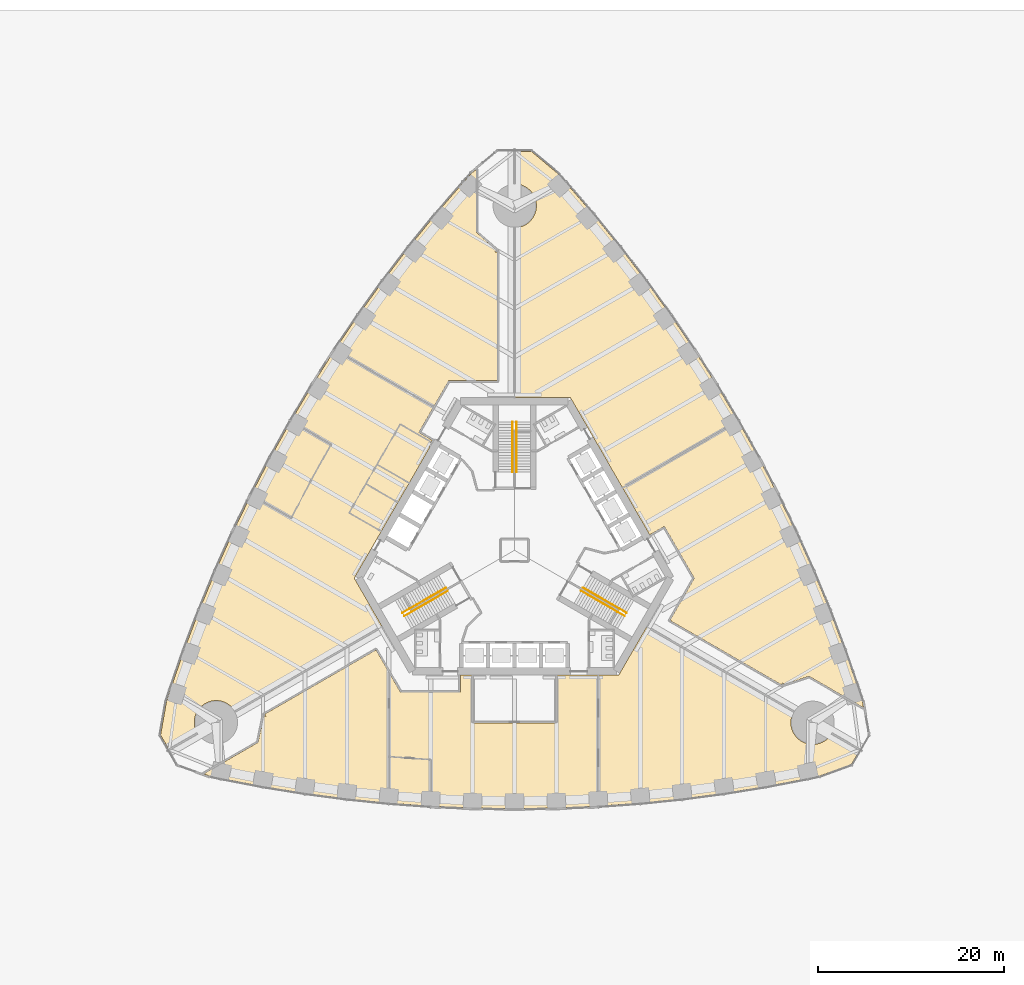
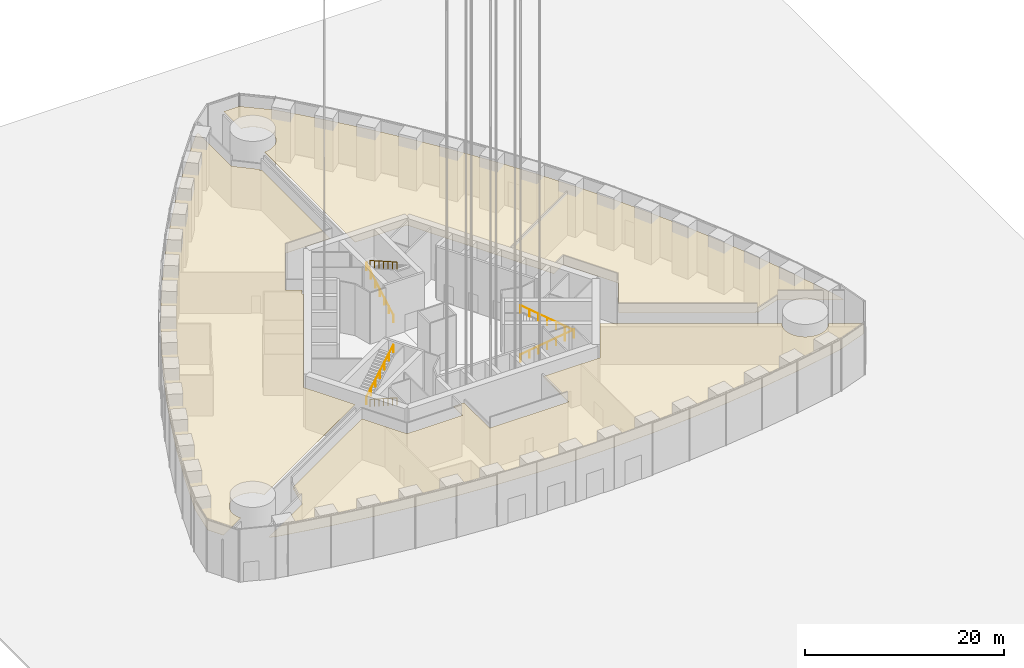
# One storey, part 21 of 43: 6 railings, 3 coverings.
"""IFC4 building model written with IfcOpenShell, lengths in metres."""

from ifc_helpers import new_model, si_unit, direction, frame, origin, origin_2d, place, context, subcontext, project, spatial, polyline, circle, outline, extrude, material, layer, layer_set, type_object, element, save


model = new_model("IFC4")

# Units and contexts
model_context = context("Model", 3, precision=1e-05, world=origin(), true_north=direction((0.0, 1.0)))
body_context = subcontext(model_context, "Body", "Model", "MODEL_VIEW")
ifc_project = project(units=[si_unit("LENGTHUNIT", "METRE"), si_unit("AREAUNIT", "SQUARE_METRE"), si_unit("VOLUMEUNIT", "CUBIC_METRE"), si_unit("PLANEANGLEUNIT", "RADIAN"), si_unit("MASSUNIT", "GRAM", prefix="KILO")], contexts=[model_context])

# Site, building, storey
site_placement = place(None, origin())
site = spatial("IfcSite", under=ifc_project, at=site_placement, CompositionType="ELEMENT")
building_placement = place(site_placement, origin())
building = spatial("IfcBuilding", under=site, at=building_placement, Name="Trefoil Bronze Tower", CompositionType="ELEMENT")
storey_placement = place(building_placement, origin())
storey = spatial("IfcBuildingStorey", under=building, at=storey_placement, Name="L00", CompositionType="ELEMENT", Elevation=0.0)

# Railings
ifc_material_1 = material(Name="Steel handrail", Category="steel")
railing_type = type_object("IfcRailingType", Name="Handrail 900", PredefinedType="HANDRAIL", material=ifc_material_1)
railing_1_placement = place(storey_placement, frame((7.365966796875, -4.021728515625, 0.171142578125)))
element("IfcRailing", 1, at=railing_1_placement, inside=storey, type_object=railing_type, Name="Handrail ST1 flight 1 L00", PredefinedType="HANDRAIL", context=body_context, shape_type="SweptSolid", body=[
    extrude(circle(Radius=0.02392578125, at=origin_2d()), frame((0.0, 0.0, 0.8759765625), z_axis=(0.752332713633, -0.434353823026, 0.495310250672), x_axis=(0.499995103361, 0.866028230842, 0.0)), (0.0, 0.0, 1.0), 6.216064453125),
    extrude(circle(Radius=0.02099609375, at=origin_2d()), origin(), (0.0, 0.0, 1.0), 0.851806640625),
    extrude(circle(Radius=0.02099609375, at=origin_2d()), frame((0.779296875, -0.449951171875, 0.51318359375)), (0.0, 0.0, 1.0), 0.851806640625),
    extrude(circle(Radius=0.02099609375, at=origin_2d()), frame((1.558837890625, -0.89990234375, 1.0263671875)), (0.0, 0.0, 1.0), 0.851806640625),
    extrude(circle(Radius=0.02099609375, at=origin_2d()), frame((2.33837890625, -1.35009765625, 1.53955078125)), (0.0, 0.0, 1.0), 0.851806640625),
    extrude(circle(Radius=0.02099609375, at=origin_2d()), frame((3.11767578125, -1.800048828125, 2.052490234375)), (0.0, 0.0, 1.0), 0.851806640625),
    extrude(circle(Radius=0.02099609375, at=origin_2d()), frame((3.89697265625, -2.25, 2.565673828125)), (0.0, 0.0, 1.0), 0.851806640625),
    extrude(circle(Radius=0.02099609375, at=origin_2d()), frame((4.676513671875, -2.699951171875, 3.078857421875)), (0.0, 0.0, 1.0), 0.851806640625),
])
railing_2_placement = place(storey_placement, frame((11.842529296875, -7.068115234375, 3.421142578125)))
element("IfcRailing", 2, at=railing_2_placement, inside=storey, type_object=railing_type, Name="Handrail ST1 flight 2 L00", PredefinedType="HANDRAIL", context=body_context, shape_type="SweptSolid", body=[
    extrude(circle(Radius=0.02392578125, at=origin_2d()), frame((0.0, 0.0, 0.8759765625), z_axis=(-0.752332713633, 0.434353823026, 0.495310250672), x_axis=(-0.499995103361, -0.866028230842, 0.0)), (0.0, 0.0, 1.0), 6.216064453125),
    extrude(circle(Radius=0.02099609375, at=origin_2d()), origin(), (0.0, 0.0, 1.0), 0.851806640625),
    extrude(circle(Radius=0.02099609375, at=origin_2d()), frame((-0.779296875, 0.449951171875, 0.51318359375)), (0.0, 0.0, 1.0), 0.851806640625),
    extrude(circle(Radius=0.02099609375, at=origin_2d()), frame((-1.558837890625, 0.89990234375, 1.0263671875)), (0.0, 0.0, 1.0), 0.851806640625),
    extrude(circle(Radius=0.02099609375, at=origin_2d()), frame((-2.33837890625, 1.35009765625, 1.53955078125)), (0.0, 0.0, 1.0), 0.851806640625),
    extrude(circle(Radius=0.02099609375, at=origin_2d()), frame((-3.11767578125, 1.800048828125, 2.052490234375)), (0.0, 0.0, 1.0), 0.851806640625),
    extrude(circle(Radius=0.02099609375, at=origin_2d()), frame((-3.89697265625, 2.25, 2.565673828125)), (0.0, 0.0, 1.0), 0.851806640625),
    extrude(circle(Radius=0.02099609375, at=origin_2d()), frame((-4.676513671875, 2.699951171875, 3.078857421875)), (0.0, 0.0, 1.0), 0.851806640625),
])
railing_3_placement = place(storey_placement, frame((-0.199951171875, 8.389892578125, 0.171142578125)))
element("IfcRailing", 3, at=railing_3_placement, inside=storey, type_object=railing_type, Name="Handrail ST2 flight 1 L00", PredefinedType="HANDRAIL", context=body_context, shape_type="SweptSolid", body=[
    extrude(circle(Radius=0.02392578125, at=origin_2d()), frame((0.0, 0.0, 0.8759765625), z_axis=(0.0, 0.868723701826, 0.495297011788), x_axis=(-1.0, 0.0, 0.0)), (0.0, 0.0, 1.0), 6.216064453125),
    extrude(circle(Radius=0.02099609375, at=origin_2d()), origin(), (0.0, 0.0, 1.0), 0.851806640625),
    extrude(circle(Radius=0.02099609375, at=origin_2d()), frame((0.0, 0.89990234375, 0.51318359375)), (0.0, 0.0, 1.0), 0.851806640625),
    extrude(circle(Radius=0.02099609375, at=origin_2d()), frame((0.0, 1.800048828125, 1.0263671875)), (0.0, 0.0, 1.0), 0.851806640625),
    extrude(circle(Radius=0.02099609375, at=origin_2d()), frame((0.0, 2.7001953125, 1.53955078125)), (0.0, 0.0, 1.0), 0.851806640625),
    extrude(circle(Radius=0.02099609375, at=origin_2d()), frame((0.0, 3.60009765625, 2.052490234375)), (0.0, 0.0, 1.0), 0.851806640625),
    extrude(circle(Radius=0.02099609375, at=origin_2d()), frame((0.0, 4.5, 2.565673828125)), (0.0, 0.0, 1.0), 0.851806640625),
    extrude(circle(Radius=0.02099609375, at=origin_2d()), frame((0.0, 5.400146484375, 3.078857421875)), (0.0, 0.0, 1.0), 0.851806640625),
])
railing_4_placement = place(storey_placement, frame((0.199951171875, 13.7900390625, 3.421142578125)))
element("IfcRailing", 4, at=railing_4_placement, inside=storey, type_object=railing_type, Name="Handrail ST2 flight 2 L00", PredefinedType="HANDRAIL", context=body_context, shape_type="SweptSolid", body=[
    extrude(circle(Radius=0.02392578125, at=origin_2d()), frame((0.0, 0.0, 0.8759765625), z_axis=(0.0, -0.868723701826, 0.495297011788), x_axis=(1.0, 0.0, 0.0)), (0.0, 0.0, 1.0), 6.216064453125),
    extrude(circle(Radius=0.02099609375, at=origin_2d()), origin(), (0.0, 0.0, 1.0), 0.851806640625),
    extrude(circle(Radius=0.02099609375, at=origin_2d()), frame((0.0, -0.89990234375, 0.51318359375)), (0.0, 0.0, 1.0), 0.851806640625),
    extrude(circle(Radius=0.02099609375, at=origin_2d()), frame((0.0, -1.800048828125, 1.0263671875)), (0.0, 0.0, 1.0), 0.851806640625),
    extrude(circle(Radius=0.02099609375, at=origin_2d()), frame((0.0, -2.7001953125, 1.53955078125)), (0.0, 0.0, 1.0), 0.851806640625),
    extrude(circle(Radius=0.02099609375, at=origin_2d()), frame((0.0, -3.60009765625, 2.052490234375)), (0.0, 0.0, 1.0), 0.851806640625),
    extrude(circle(Radius=0.02099609375, at=origin_2d()), frame((0.0, -4.5, 2.565673828125)), (0.0, 0.0, 1.0), 0.851806640625),
    extrude(circle(Radius=0.02099609375, at=origin_2d()), frame((0.0, -5.400146484375, 3.078857421875)), (0.0, 0.0, 1.0), 0.851806640625),
])
railing_5_placement = place(storey_placement, frame((-7.166015625, -4.3681640625, 0.171142578125)))
element("IfcRailing", 5, at=railing_5_placement, inside=storey, type_object=railing_type, Name="Handrail ST3 flight 1 L00", PredefinedType="HANDRAIL", context=body_context, shape_type="SweptSolid", body=[
    extrude(circle(Radius=0.02392578125, at=origin_2d()), frame((0.0, 0.0, 0.8759765625), z_axis=(-0.752332713633, -0.434353823026, 0.495310250672), x_axis=(0.499995103361, -0.866028230842, 0.0)), (0.0, 0.0, 1.0), 6.216064453125),
    extrude(circle(Radius=0.02099609375, at=origin_2d()), origin(), (0.0, 0.0, 1.0), 0.851806640625),
    extrude(circle(Radius=0.02099609375, at=origin_2d()), frame((-0.779296875, -0.449951171875, 0.51318359375)), (0.0, 0.0, 1.0), 0.851806640625),
    extrude(circle(Radius=0.02099609375, at=origin_2d()), frame((-1.558837890625, -0.89990234375, 1.0263671875)), (0.0, 0.0, 1.0), 0.851806640625),
    extrude(circle(Radius=0.02099609375, at=origin_2d()), frame((-2.33837890625, -1.35009765625, 1.53955078125)), (0.0, 0.0, 1.0), 0.851806640625),
    extrude(circle(Radius=0.02099609375, at=origin_2d()), frame((-3.11767578125, -1.800048828125, 2.052490234375)), (0.0, 0.0, 1.0), 0.851806640625),
    extrude(circle(Radius=0.02099609375, at=origin_2d()), frame((-3.89697265625, -2.25, 2.565673828125)), (0.0, 0.0, 1.0), 0.851806640625),
    extrude(circle(Radius=0.02099609375, at=origin_2d()), frame((-4.676513671875, -2.699951171875, 3.078857421875)), (0.0, 0.0, 1.0), 0.851806640625),
])
railing_6_placement = place(storey_placement, frame((-12.04248046875, -6.7216796875, 3.421142578125)))
element("IfcRailing", 6, at=railing_6_placement, inside=storey, type_object=railing_type, Name="Handrail ST3 flight 2 L00", PredefinedType="HANDRAIL", context=body_context, shape_type="SweptSolid", body=[
    extrude(circle(Radius=0.02392578125, at=origin_2d()), frame((0.0, 0.0, 0.8759765625), z_axis=(0.752332713633, 0.434353823026, 0.495310250672), x_axis=(-0.499995103361, 0.866028230842, 0.0)), (0.0, 0.0, 1.0), 6.216064453125),
    extrude(circle(Radius=0.02099609375, at=origin_2d()), origin(), (0.0, 0.0, 1.0), 0.851806640625),
    extrude(circle(Radius=0.02099609375, at=origin_2d()), frame((0.779296875, 0.449951171875, 0.51318359375)), (0.0, 0.0, 1.0), 0.851806640625),
    extrude(circle(Radius=0.02099609375, at=origin_2d()), frame((1.558837890625, 0.89990234375, 1.0263671875)), (0.0, 0.0, 1.0), 0.851806640625),
    extrude(circle(Radius=0.02099609375, at=origin_2d()), frame((2.33837890625, 1.35009765625, 1.53955078125)), (0.0, 0.0, 1.0), 0.851806640625),
    extrude(circle(Radius=0.02099609375, at=origin_2d()), frame((3.11767578125, 1.800048828125, 2.052490234375)), (0.0, 0.0, 1.0), 0.851806640625),
    extrude(circle(Radius=0.02099609375, at=origin_2d()), frame((3.89697265625, 2.25, 2.565673828125)), (0.0, 0.0, 1.0), 0.851806640625),
    extrude(circle(Radius=0.02099609375, at=origin_2d()), frame((4.676513671875, 2.699951171875, 3.078857421875)), (0.0, 0.0, 1.0), 0.851806640625),
])

# Coverings
ifc_material_2 = material(Name="Bronze metal ceiling panels", Category="metal")
ifc_layer = layer(ifc_material_2, 0.02001953125)
ifc_layer_set = layer_set([ifc_layer], Name="Lobby ceiling 20")
covering_type = type_object("IfcCoveringType", Name="Lobby ceiling 20", PredefinedType="CEILING", material=ifc_layer_set)
covering_1_placement = place(storey_placement, frame((0.0, 0.0, 5.0)))
element("IfcCovering", 7, at=covering_1_placement, inside=storey, type_object=covering_type, Name="Ceiling L00 Entrance hall F1", PredefinedType="CEILING", context=body_context, shape_type="SweptSolid", body=[
    extrude(outline(polyline([(4.574951171875, -18.52490234375), (4.574951171875, -13.39990234375), (11.20068359375, -13.39990234375), (14.19970703125, -8.205322265625), (30.001953125, -17.336669921875), (29.970458984375, -17.39208984375), (29.918701171875, -17.4951171875), (29.871826171875, -17.6005859375), (29.830322265625, -17.708251953125), (29.794189453125, -17.81787109375), (29.763427734375, -17.928955078125), (29.738037109375, -18.04150390625), (29.718505859375, -18.1552734375), (29.704345703125, -18.269775390625), (29.69580078125, -18.384765625), (29.69287109375, -18.5), (29.69580078125, -18.615234375), (29.704345703125, -18.730224609375), (29.718505859375, -18.8447265625), (29.738037109375, -18.95849609375), (29.763427734375, -19.071044921875), (29.794189453125, -19.18212890625), (29.830322265625, -19.291748046875), (29.871826171875, -19.3994140625), (29.918701171875, -19.5048828125), (29.970458984375, -19.60791015625), (30.02734375, -19.7080078125), (30.089111328125, -19.8056640625), (30.155517578125, -19.89990234375), (30.226318359375, -19.99072265625), (30.3017578125, -20.078125), (30.381103515625, -20.16162109375), (30.46484375, -20.2412109375), (30.552001953125, -20.316650390625), (30.64306640625, -20.387451171875), (30.7373046875, -20.4541015625), (30.834716796875, -20.515625), (30.935302734375, -20.572509765625), (31.0380859375, -20.62451171875), (31.1435546875, -20.671142578125), (31.251220703125, -20.712646484375), (31.36083984375, -20.748779296875), (31.471923828125, -20.779541015625), (31.58447265625, -20.8046875), (31.697998046875, -20.82470703125), (31.8125, -20.838623046875), (31.927490234375, -20.84716796875), (32.04296875, -20.85009765625), (32.158203125, -20.84716796875), (32.273193359375, -20.838623046875), (32.3876953125, -20.82470703125), (32.50146484375, -20.8046875), (32.614013671875, -20.779541015625), (32.72509765625, -20.748779296875), (32.834716796875, -20.712646484375), (32.942138671875, -20.671142578125), (33.047607421875, -20.62451171875), (33.150634765625, -20.572509765625), (33.251220703125, -20.515625), (33.348388671875, -20.4541015625), (33.44287109375, -20.387451171875), (33.53369140625, -20.316650390625), (33.62109375, -20.2412109375), (33.70458984375, -20.16162109375), (33.7841796875, -20.078125), (33.859619140625, -19.99072265625), (33.930419921875, -19.89990234375), (33.996826171875, -19.8056640625), (34.0703125, -19.6875), (37.094482421875, -21.43505859375), (36.190673828125, -23.0009765625), (32.762451171875, -24.248779296875), (31.5, -24.51611328125), (27.0, -25.38037109375), (22.5, -26.10791015625), (18.0, -26.70068359375), (13.5, -27.159912109375), (9.0, -27.4873046875), (4.5, -27.683349609375), (0.0, -27.748779296875), (-4.5, -27.683349609375), (-9.0, -27.4873046875), (-13.5, -27.159912109375), (-18.0, -26.70068359375), (-22.5, -26.10791015625), (-27.0, -25.38037109375), (-31.5, -24.51611328125), (-32.762451171875, -24.248779296875), (-33.306884765625, -24.050537109375), (-33.2294921875, -24.005859375), (-33.266845703125, -23.94091796875), (-27.538818359375, -20.6337890625), (-26.966796875, -17.77734375), (-26.71533203125, -17.82763671875), (-26.843505859375, -17.60546875), (-14.935791015625, -10.73046875), (-14.898193359375, -10.79541015625), (-14.833251953125, -10.7578125), (-12.25439453125, -15.22509765625), (-5.824951171875, -15.22509765625), (-5.824951171875, -13.39990234375), (-4.574951171875, -13.39990234375), (-4.574951171875, -18.52490234375), (4.574951171875, -18.52490234375)])), origin(), (0.0, 0.0, 1.0), 0.02001953125),
])
covering_2_placement = place(storey_placement, frame((0.0, 0.0, 5.0)))
element("IfcCovering", 8, at=covering_2_placement, inside=storey, type_object=covering_type, Name="Ceiling L00 Retail unit F2", PredefinedType="CEILING", context=body_context, shape_type="SweptSolid", body=[
    extrude(outline(polyline([(8.47998046875, 36.072998046875), (11.360107421875, 32.53955078125), (14.123291015625, 28.938720703125), (16.771240234375, 25.271484375), (19.3046875, 21.537841796875), (21.724609375, 17.73876953125), (24.031005859375, 13.87451171875), (26.224609375, 9.944580078125), (28.3046875, 5.949462890625), (30.271240234375, 1.888671875), (32.123291015625, -2.23828125), (33.860107421875, -6.431640625), (35.47998046875, -10.6923828125), (36.9814453125, -15.021728515625), (37.381103515625, -16.248779296875), (37.481689453125, -16.8193359375), (37.404296875, -16.7744140625), (37.366943359375, -16.839599609375), (31.638671875, -13.5322265625), (28.879150390625, -14.46533203125), (28.796875, -14.222412109375), (28.668701171875, -14.444580078125), (16.7607421875, -7.569580078125), (16.79833984375, -7.504638671875), (16.7333984375, -7.467041015625), (19.3125, -3.0), (16.09765625, 2.56787109375), (14.51708984375, 1.655517578125), (6.00439453125, 16.39990234375), (0.006103515625, 16.39990234375), (0.012939453125, 34.650390625), (0.115234375, 34.65283203125), (0.230224609375, 34.661376953125), (0.3447265625, 34.67529296875), (0.45849609375, 34.6953125), (0.571044921875, 34.720458984375), (0.68212890625, 34.751220703125), (0.791748046875, 34.787353515625), (0.8994140625, 34.828857421875), (1.0048828125, 34.87548828125), (1.10791015625, 34.927490234375), (1.2080078125, 34.984375), (1.3056640625, 35.0458984375), (1.39990234375, 35.112548828125), (1.49072265625, 35.183349609375), (1.578125, 35.2587890625), (1.66162109375, 35.33837890625), (1.7412109375, 35.421875), (1.816650390625, 35.50927734375), (1.887451171875, 35.60009765625), (1.9541015625, 35.6943359375), (2.015625, 35.7919921875), (2.072509765625, 35.89208984375), (2.12451171875, 35.9951171875), (2.171142578125, 36.1005859375), (2.212646484375, 36.208251953125), (2.248779296875, 36.31787109375), (2.279541015625, 36.428955078125), (2.3046875, 36.54150390625), (2.32470703125, 36.6552734375), (2.338623046875, 36.769775390625), (2.34716796875, 36.884765625), (2.35009765625, 37.0), (2.34716796875, 37.115234375), (2.338623046875, 37.230224609375), (2.32470703125, 37.3447265625), (2.3046875, 37.45849609375), (2.279541015625, 37.571044921875), (2.248779296875, 37.68212890625), (2.212646484375, 37.791748046875), (2.171142578125, 37.8994140625), (2.12451171875, 38.0048828125), (2.072509765625, 38.10791015625), (2.015625, 38.2080078125), (1.9541015625, 38.3056640625), (1.887451171875, 38.39990234375), (1.816650390625, 38.49072265625), (1.7412109375, 38.578125), (1.66162109375, 38.66162109375), (1.578125, 38.7412109375), (1.49072265625, 38.816650390625), (1.39990234375, 38.887451171875), (1.3056640625, 38.9541015625), (1.2080078125, 39.015625), (1.10791015625, 39.072509765625), (1.0048828125, 39.12451171875), (0.8994140625, 39.171142578125), (0.791748046875, 39.212646484375), (0.68212890625, 39.248779296875), (0.571044921875, 39.279541015625), (0.45849609375, 39.3046875), (0.3447265625, 39.32470703125), (0.230224609375, 39.338623046875), (0.115234375, 39.34716796875), (0.014892578125, 39.349609375), (0.01611328125, 42.84228515625), (1.82421875, 42.84228515625), (4.618896484375, 40.497314453125), (5.4814453125, 39.537841796875), (8.47998046875, 36.072998046875)])), origin(), (0.0, 0.0, 1.0), 0.02001953125),
])
covering_3_placement = place(storey_placement, frame((0.0, 0.0, 5.0)))
element("IfcCovering", 9, at=covering_3_placement, inside=storey, type_object=covering_type, Name="Ceiling L00 Loading bay F3", PredefinedType="CEILING", context=body_context, shape_type="SweptSolid", body=[
    extrude(outline(polyline([(-35.47998046875, -10.6923828125), (-33.860107421875, -6.431640625), (-32.123291015625, -2.23828125), (-30.271240234375, 1.888671875), (-28.3046875, 5.949462890625), (-26.224609375, 9.944580078125), (-24.031005859375, 13.87451171875), (-21.724609375, 17.73876953125), (-19.3046875, 21.537841796875), (-16.771240234375, 25.271484375), (-14.123291015625, 28.938720703125), (-11.360107421875, 32.53955078125), (-8.47998046875, 36.072998046875), (-5.4814453125, 39.537841796875), (-4.618896484375, 40.497314453125), (-4.175048828125, 40.869873046875), (-4.175048828125, 40.780517578125), (-4.10009765625, 40.780517578125), (-4.10009765625, 34.166015625), (-1.912109375, 32.24267578125), (-2.08154296875, 32.050048828125), (-1.824951171875, 32.050048828125), (-1.824951171875, 18.300048828125), (-1.89990234375, 18.300048828125), (-1.89990234375, 18.22509765625), (-7.05810546875, 18.22509765625), (-10.272705078125, 12.656982421875), (-8.822021484375, 11.819580078125), (-9.15966796875, 11.235107421875), (-9.02978515625, 11.159912109375), (-17.205078125, -3.0), (-14.205810546875, -8.194580078125), (-30.0146484375, -17.31396484375), (-30.02734375, -17.2919921875), (-30.089111328125, -17.1943359375), (-30.155517578125, -17.10009765625), (-30.226318359375, -17.00927734375), (-30.3017578125, -16.921875), (-30.381103515625, -16.83837890625), (-30.46484375, -16.7587890625), (-30.552001953125, -16.683349609375), (-30.64306640625, -16.612548828125), (-30.7373046875, -16.5458984375), (-30.834716796875, -16.484375), (-30.935302734375, -16.427490234375), (-31.0380859375, -16.37548828125), (-31.1435546875, -16.328857421875), (-31.251220703125, -16.287353515625), (-31.36083984375, -16.251220703125), (-31.471923828125, -16.220458984375), (-31.58447265625, -16.1953125), (-31.697998046875, -16.17529296875), (-31.8125, -16.161376953125), (-31.927490234375, -16.15283203125), (-32.04296875, -16.14990234375), (-32.158203125, -16.15283203125), (-32.273193359375, -16.161376953125), (-32.3876953125, -16.17529296875), (-32.50146484375, -16.1953125), (-32.614013671875, -16.220458984375), (-32.72509765625, -16.251220703125), (-32.834716796875, -16.287353515625), (-32.942138671875, -16.328857421875), (-33.047607421875, -16.37548828125), (-33.150634765625, -16.427490234375), (-33.251220703125, -16.484375), (-33.348388671875, -16.5458984375), (-33.44287109375, -16.612548828125), (-33.53369140625, -16.683349609375), (-33.62109375, -16.7587890625), (-33.70458984375, -16.83837890625), (-33.7841796875, -16.921875), (-33.859619140625, -17.00927734375), (-33.930419921875, -17.10009765625), (-33.996826171875, -17.1943359375), (-34.05859375, -17.2919921875), (-34.115478515625, -17.39208984375), (-34.167236328125, -17.4951171875), (-34.214111328125, -17.6005859375), (-34.255615234375, -17.708251953125), (-34.291748046875, -17.81787109375), (-34.322509765625, -17.928955078125), (-34.347900390625, -18.04150390625), (-34.367431640625, -18.1552734375), (-34.381591796875, -18.269775390625), (-34.39013671875, -18.384765625), (-34.392822265625, -18.5), (-34.39013671875, -18.615234375), (-34.381591796875, -18.730224609375), (-34.367431640625, -18.8447265625), (-34.347900390625, -18.95849609375), (-34.322509765625, -19.071044921875), (-34.291748046875, -19.18212890625), (-34.255615234375, -19.291748046875), (-34.214111328125, -19.3994140625), (-34.167236328125, -19.5048828125), (-34.115478515625, -19.60791015625), (-34.084716796875, -19.661865234375), (-37.110595703125, -21.4072265625), (-38.0146484375, -19.841552734375), (-37.381103515625, -16.248779296875), (-36.9814453125, -15.021728515625), (-35.47998046875, -10.6923828125)])), origin(), (0.0, 0.0, 1.0), 0.02001953125),
])

save(model, "model.ifc")
